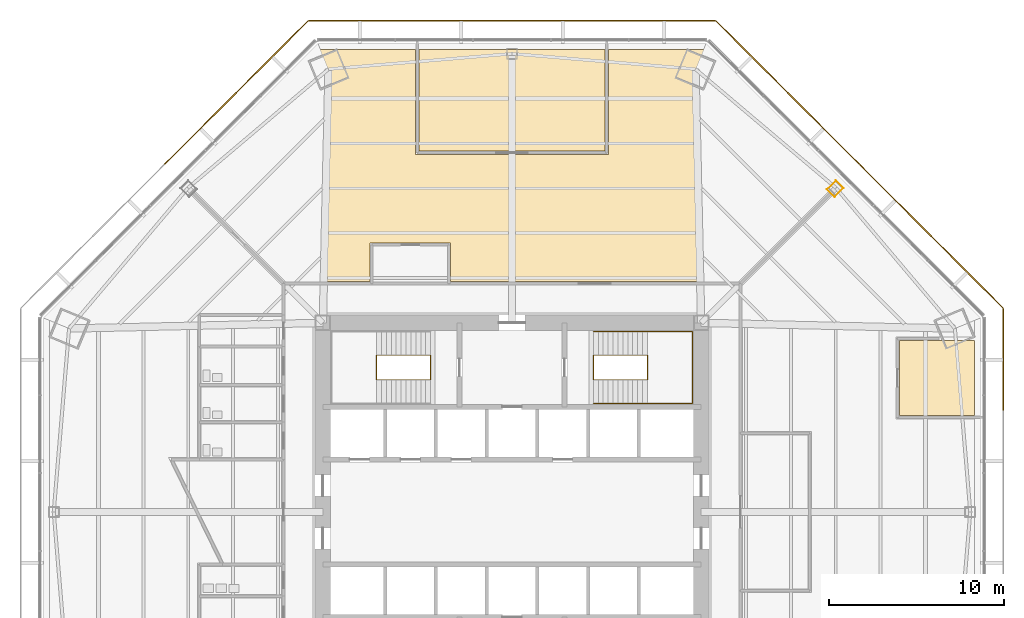
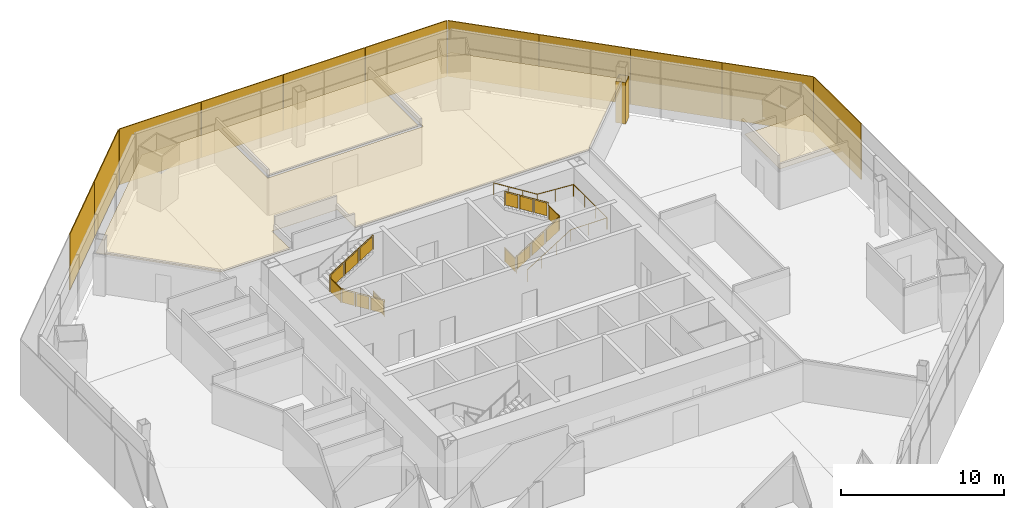
# One storey, part 14 of 15: 11 shading devices, 4 coverings, 3 railings.
"""IFC4 building model written with IfcOpenShell, lengths in metres."""

from ifc_helpers import new_model, si_unit, direction, frame, origin, origin_2d, place, context, subcontext, project, spatial, polyline, rectangle, circle, outline, extrude, source, transform, mapped, material, layer, layer_set, type_object, type_shapes, element, save


model = new_model("IFC4")

# Units and contexts
model_context = context("Model", 3, precision=1e-05, world=origin(), true_north=direction((0.0, 1.0)))
body_context = subcontext(model_context, "Body", "Model", "MODEL_VIEW")
ifc_project = project(units=[si_unit("LENGTHUNIT", "METRE"), si_unit("AREAUNIT", "SQUARE_METRE"), si_unit("VOLUMEUNIT", "CUBIC_METRE"), si_unit("PLANEANGLEUNIT", "RADIAN"), si_unit("MASSUNIT", "GRAM", prefix="KILO")], contexts=[model_context])

# Site, building, storey
site_placement = place(None, origin())
site = spatial("IfcSite", under=ifc_project, at=site_placement, CompositionType="ELEMENT")
building_placement = place(site_placement, origin())
building = spatial("IfcBuilding", under=site, at=building_placement, Name="Mashrafa Tower", CompositionType="ELEMENT")
storey_placement = place(building_placement, frame((0.0, 0.0, 37.199951171875)))
storey = spatial("IfcBuildingStorey", under=building, at=storey_placement, Name="L07", CompositionType="ELEMENT", Elevation=37.199951171875)

# Covering
ifc_material_1 = material(Name="Gypsum board")
ifc_layer_1 = layer(ifc_material_1, 0.014892578125)
ifc_layer_set_1 = layer_set([ifc_layer_1], Name="Column casing plasterboard 15")
covering_type_1 = type_object("IfcCoveringType", Name="Column casing plasterboard 15", PredefinedType="CLADDING", material=ifc_layer_set_1)
covering_1_placement = place(storey_placement, origin())
element("IfcCovering", 1, at=covering_1_placement, inside=storey, type_object=covering_type_1, Name="Column casing L07-001", PredefinedType="CLADDING", context=body_context, shape_type="SweptSolid", body=[
    extrude(outline(polyline([(17.969970703125, 18.41552734375), (18.499755859375, 18.9453125), (18.9453125, 18.499755859375), (18.41552734375, 17.969970703125), (17.969970703125, 18.41552734375)]), holes=[polyline([(18.923828125, 18.499755859375), (18.499755859375, 18.923828125), (17.9912109375, 18.41552734375), (18.41552734375, 17.9912109375), (18.923828125, 18.499755859375)])]), origin(), (0.0, 0.0, 1.0), 3.097900390625),
])

# Railings
ifc_material_2 = material(Name="Steel guard with glass infill", Category="steel")
railing_type_1 = type_object("IfcRailingType", Name="Stair guard 1100", PredefinedType="GUARDRAIL", material=ifc_material_2)
railing_1_placement = place(storey_placement, frame((-4.64990234375, 8.949951171875, 0.0)))
element("IfcRailing", 2, at=railing_1_placement, inside=storey, type_object=railing_type_1, Name="Stair S1 guard L07", PredefinedType="GUARDRAIL", context=body_context, shape_type="SweptSolid", body=[
    extrude(circle(Radius=0.02392578125, at=origin_2d()), frame((0.0, 0.0, 1.076171875), z_axis=(0.0, -1.0, 0.0), x_axis=(1.0, 0.0, 0.0)), (0.0, 0.0, 1.0), 1.39990234375),
    extrude(circle(Radius=0.02392578125, at=origin_2d()), frame((0.0, -1.39990234375, 1.076171875), z_axis=(0.0, 0.0, 1.0), x_axis=(1.0, 0.0, 0.0)), (0.0, 0.0, 1.0), 0.175048828125),
    extrude(circle(Radius=0.02392578125, at=origin_2d()), frame((0.0, -1.39990234375, 1.2509765625), z_axis=(-0.847998304005, 0.0, 0.529998940003), x_axis=(0.0, -1.0, 0.0)), (0.0, 0.0, 1.0), 3.632080078125),
    extrude(circle(Radius=0.02392578125, at=origin_2d()), frame((-3.080078125, -1.39990234375, 3.17626953125), z_axis=(0.0, 1.0, 0.0), x_axis=(-1.0, 0.0, 0.0)), (0.0, 0.0, 1.0), 1.39990234375),
    extrude(circle(Radius=0.02392578125, at=origin_2d()), frame((-3.080078125, 0.0, 3.17626953125), z_axis=(0.0, 0.0, 1.0), x_axis=(1.0, 0.0, 0.0)), (0.0, 0.0, 1.0), 0.175048828125),
    extrude(circle(Radius=0.02392578125, at=origin_2d()), frame((-3.080078125, 0.0, 3.35107421875), z_axis=(0.848028513186, 0.0, 0.529950602248), x_axis=(0.0, 1.0, 0.0)), (0.0, 0.0, 1.0), 3.632080078125),
    extrude(circle(Radius=0.02099609375, at=origin_2d()), origin(), (0.0, 0.0, 1.0), 1.052001953125),
    extrude(circle(Radius=0.02099609375, at=origin_2d()), frame((0.0, -1.39990234375, 0.0)), (0.0, 0.0, 1.0), 1.052001953125),
    extrude(circle(Radius=0.02099609375, at=origin_2d()), frame((0.0, -1.39990234375, 0.175048828125)), (0.0, 0.0, 1.0), 1.052001953125),
    extrude(circle(Radius=0.02099609375, at=origin_2d()), frame((-1.026611328125, -1.39990234375, 0.816650390625)), (0.0, 0.0, 1.0), 1.052001953125),
    extrude(circle(Radius=0.02099609375, at=origin_2d()), frame((-2.053466796875, -1.39990234375, 1.45849609375)), (0.0, 0.0, 1.0), 1.052001953125),
    extrude(circle(Radius=0.02099609375, at=origin_2d()), frame((-3.080078125, -1.39990234375, 2.10009765625)), (0.0, 0.0, 1.0), 1.052001953125),
    extrude(circle(Radius=0.02099609375, at=origin_2d()), frame((-3.080078125, 0.0, 2.10009765625)), (0.0, 0.0, 1.0), 1.052001953125),
    extrude(circle(Radius=0.02099609375, at=origin_2d()), frame((-3.080078125, 0.0, 2.275146484375)), (0.0, 0.0, 1.0), 1.052001953125),
    extrude(circle(Radius=0.02099609375, at=origin_2d()), frame((-2.053466796875, 0.0, 2.916748046875)), (0.0, 0.0, 1.0), 1.052001953125),
    extrude(circle(Radius=0.02099609375, at=origin_2d()), frame((-1.026611328125, 0.0, 3.558349609375)), (0.0, 0.0, 1.0), 1.052001953125),
    extrude(circle(Radius=0.02099609375, at=origin_2d()), frame((0.0, 0.0, 4.199951171875)), (0.0, 0.0, 1.0), 1.052001953125),
    extrude(outline(polyline([(0.071044921875, 0.050048828125), (1.328857421875, 0.050048828125), (1.328857421875, 1.001953125), (0.071044921875, 1.001953125), (0.071044921875, 0.050048828125)])), frame((-0.006103515625, 0.0, 0.0), z_axis=(-1.0, 0.0, 0.0), x_axis=(0.0, -1.0, 0.0)), (0.0, 0.0, 1.0), 0.011962890625),
    extrude(outline(polyline([(0.071044921875, 0.094482421875), (0.955810546875, 0.647216796875), (0.955810546875, 1.599365234375), (0.071044921875, 1.04638671875), (0.071044921875, 0.094482421875)])), frame((0.0, -1.393798828125, 0.175048828125), z_axis=(0.0, 1.0, 0.0), x_axis=(-1.0, 0.0, 0.0)), (0.0, 0.0, 1.0), 0.011962890625),
    extrude(outline(polyline([(1.09765625, 0.736083984375), (1.982421875, 1.2890625), (1.982421875, 2.240966796875), (1.09765625, 1.68798828125), (1.09765625, 0.736083984375)])), frame((0.0, -1.393798828125, 0.175048828125), z_axis=(0.0, 1.0, 0.0), x_axis=(-1.0, 0.0, 0.0)), (0.0, 0.0, 1.0), 0.011962890625),
    extrude(outline(polyline([(2.124267578125, 1.377685546875), (3.009033203125, 1.9306640625), (3.009033203125, 2.882568359375), (2.124267578125, 2.329833984375), (2.124267578125, 1.377685546875)])), frame((0.0, -1.393798828125, 0.175048828125), z_axis=(0.0, 1.0, 0.0), x_axis=(-1.0, 0.0, 0.0)), (0.0, 0.0, 1.0), 0.011962890625),
    extrude(outline(polyline([(0.071044921875, 0.050048828125), (1.328857421875, 0.050048828125), (1.328857421875, 1.001953125), (0.071044921875, 1.001953125), (0.071044921875, 0.050048828125)])), frame((-3.073974609375, -1.39990234375, 2.10009765625), z_axis=(1.0, 0.0, 0.0), x_axis=(0.0, 1.0, 0.0)), (0.0, 0.0, 1.0), 0.011962890625),
    extrude(outline(polyline([(0.071044921875, 0.094482421875), (0.955810546875, 0.647216796875), (0.955810546875, 1.59912109375), (0.071044921875, 1.04638671875), (0.071044921875, 0.094482421875)])), frame((-3.080078125, -0.006103515625, 2.275146484375), z_axis=(0.0, -1.0, 0.0), x_axis=(1.0, 0.0, 0.0)), (0.0, 0.0, 1.0), 0.011962890625),
    extrude(outline(polyline([(1.09765625, 0.736083984375), (1.982421875, 1.288818359375), (1.982421875, 2.24072265625), (1.09765625, 1.68798828125), (1.09765625, 0.736083984375)])), frame((-3.080078125, -0.006103515625, 2.275146484375), z_axis=(0.0, -1.0, 0.0), x_axis=(1.0, 0.0, 0.0)), (0.0, 0.0, 1.0), 0.011962890625),
    extrude(outline(polyline([(2.124267578125, 1.377685546875), (3.009033203125, 1.930419921875), (3.009033203125, 2.88232421875), (2.124267578125, 2.32958984375), (2.124267578125, 1.377685546875)])), frame((-3.080078125, -0.006103515625, 2.275146484375), z_axis=(0.0, -1.0, 0.0), x_axis=(1.0, 0.0, 0.0)), (0.0, 0.0, 1.0), 0.011962890625),
])
railing_2_placement = place(storey_placement, frame((4.64990234375, 8.949951171875, 0.0)))
element("IfcRailing", 3, at=railing_2_placement, inside=storey, type_object=railing_type_1, Name="Stair S2 guard L07", PredefinedType="GUARDRAIL", context=body_context, shape_type="SweptSolid", body=[
    extrude(circle(Radius=0.02392578125, at=origin_2d()), frame((0.0, 0.0, 1.076171875), z_axis=(0.0, -1.0, 0.0), x_axis=(1.0, 0.0, 0.0)), (0.0, 0.0, 1.0), 1.39990234375),
    extrude(circle(Radius=0.02392578125, at=origin_2d()), frame((0.0, -1.39990234375, 1.076171875), z_axis=(0.0, 0.0, 1.0), x_axis=(1.0, 0.0, 0.0)), (0.0, 0.0, 1.0), 0.175048828125),
    extrude(circle(Radius=0.02392578125, at=origin_2d()), frame((0.0, -1.39990234375, 1.2509765625), z_axis=(0.847998304005, 0.0, 0.529998940003), x_axis=(0.0, 1.0, 0.0)), (0.0, 0.0, 1.0), 3.632080078125),
    extrude(circle(Radius=0.02392578125, at=origin_2d()), frame((3.080078125, -1.39990234375, 3.17626953125), z_axis=(0.0, 1.0, 0.0), x_axis=(-1.0, 0.0, 0.0)), (0.0, 0.0, 1.0), 1.39990234375),
    extrude(circle(Radius=0.02392578125, at=origin_2d()), frame((3.080078125, 0.0, 3.17626953125), z_axis=(0.0, 0.0, 1.0), x_axis=(1.0, 0.0, 0.0)), (0.0, 0.0, 1.0), 0.175048828125),
    extrude(circle(Radius=0.02392578125, at=origin_2d()), frame((3.080078125, 0.0, 3.35107421875), z_axis=(-0.848028513186, 0.0, 0.529950602248), x_axis=(0.0, -1.0, 0.0)), (0.0, 0.0, 1.0), 3.632080078125),
    extrude(circle(Radius=0.02099609375, at=origin_2d()), origin(), (0.0, 0.0, 1.0), 1.052001953125),
    extrude(circle(Radius=0.02099609375, at=origin_2d()), frame((0.0, -1.39990234375, 0.0)), (0.0, 0.0, 1.0), 1.052001953125),
    extrude(circle(Radius=0.02099609375, at=origin_2d()), frame((0.0, -1.39990234375, 0.175048828125)), (0.0, 0.0, 1.0), 1.052001953125),
    extrude(circle(Radius=0.02099609375, at=origin_2d()), frame((1.026611328125, -1.39990234375, 0.816650390625)), (0.0, 0.0, 1.0), 1.052001953125),
    extrude(circle(Radius=0.02099609375, at=origin_2d()), frame((2.053466796875, -1.39990234375, 1.45849609375)), (0.0, 0.0, 1.0), 1.052001953125),
    extrude(circle(Radius=0.02099609375, at=origin_2d()), frame((3.080078125, -1.39990234375, 2.10009765625)), (0.0, 0.0, 1.0), 1.052001953125),
    extrude(circle(Radius=0.02099609375, at=origin_2d()), frame((3.080078125, 0.0, 2.10009765625)), (0.0, 0.0, 1.0), 1.052001953125),
    extrude(circle(Radius=0.02099609375, at=origin_2d()), frame((3.080078125, 0.0, 2.275146484375)), (0.0, 0.0, 1.0), 1.052001953125),
    extrude(circle(Radius=0.02099609375, at=origin_2d()), frame((2.053466796875, 0.0, 2.916748046875)), (0.0, 0.0, 1.0), 1.052001953125),
    extrude(circle(Radius=0.02099609375, at=origin_2d()), frame((1.026611328125, 0.0, 3.558349609375)), (0.0, 0.0, 1.0), 1.052001953125),
    extrude(circle(Radius=0.02099609375, at=origin_2d()), frame((0.0, 0.0, 4.199951171875)), (0.0, 0.0, 1.0), 1.052001953125),
    extrude(outline(polyline([(0.071044921875, 0.050048828125), (1.328857421875, 0.050048828125), (1.328857421875, 1.001953125), (0.071044921875, 1.001953125), (0.071044921875, 0.050048828125)])), frame((-0.006103515625, 0.0, 0.0), z_axis=(-1.0, 0.0, 0.0), x_axis=(0.0, -1.0, 0.0)), (0.0, 0.0, 1.0), 0.011962890625),
    extrude(outline(polyline([(0.071044921875, 0.094482421875), (0.955810546875, 0.647216796875), (0.955810546875, 1.599365234375), (0.071044921875, 1.04638671875), (0.071044921875, 0.094482421875)])), frame((0.0, -1.406005859375, 0.175048828125), z_axis=(0.0, -1.0, 0.0), x_axis=(1.0, 0.0, 0.0)), (0.0, 0.0, 1.0), 0.011962890625),
    extrude(outline(polyline([(1.09765625, 0.736083984375), (1.982421875, 1.2890625), (1.982421875, 2.240966796875), (1.09765625, 1.68798828125), (1.09765625, 0.736083984375)])), frame((0.0, -1.406005859375, 0.175048828125), z_axis=(0.0, -1.0, 0.0), x_axis=(1.0, 0.0, 0.0)), (0.0, 0.0, 1.0), 0.011962890625),
    extrude(outline(polyline([(2.124267578125, 1.377685546875), (3.009033203125, 1.9306640625), (3.009033203125, 2.882568359375), (2.124267578125, 2.329833984375), (2.124267578125, 1.377685546875)])), frame((0.0, -1.406005859375, 0.175048828125), z_axis=(0.0, -1.0, 0.0), x_axis=(1.0, 0.0, 0.0)), (0.0, 0.0, 1.0), 0.011962890625),
    extrude(outline(polyline([(0.071044921875, 0.050048828125), (1.328857421875, 0.050048828125), (1.328857421875, 1.001953125), (0.071044921875, 1.001953125), (0.071044921875, 0.050048828125)])), frame((3.086181640625, -1.39990234375, 2.10009765625), z_axis=(1.0, 0.0, 0.0), x_axis=(0.0, 1.0, 0.0)), (0.0, 0.0, 1.0), 0.011962890625),
    extrude(outline(polyline([(0.071044921875, 0.094482421875), (0.955810546875, 0.647216796875), (0.955810546875, 1.59912109375), (0.071044921875, 1.04638671875), (0.071044921875, 0.094482421875)])), frame((3.080078125, 0.006103515625, 2.275146484375), z_axis=(0.0, 1.0, 0.0), x_axis=(-1.0, 0.0, 0.0)), (0.0, 0.0, 1.0), 0.011962890625),
    extrude(outline(polyline([(1.09765625, 0.736083984375), (1.982421875, 1.288818359375), (1.982421875, 2.24072265625), (1.09765625, 1.68798828125), (1.09765625, 0.736083984375)])), frame((3.080078125, 0.006103515625, 2.275146484375), z_axis=(0.0, 1.0, 0.0), x_axis=(-1.0, 0.0, 0.0)), (0.0, 0.0, 1.0), 0.011962890625),
    extrude(outline(polyline([(2.124267578125, 1.377685546875), (3.009033203125, 1.930419921875), (3.009033203125, 2.88232421875), (2.124267578125, 2.32958984375), (2.124267578125, 1.377685546875)])), frame((3.080078125, 0.006103515625, 2.275146484375), z_axis=(0.0, 1.0, 0.0), x_axis=(-1.0, 0.0, 0.0)), (0.0, 0.0, 1.0), 0.011962890625),
])
ifc_material_3 = material(Name="Steel", Category="steel")
railing_type_2 = type_object("IfcRailingType", Name="Stair handrail 900", PredefinedType="HANDRAIL", material=ifc_material_3)
railing_3_placement = place(storey_placement, frame((4.64990234375, 6.199951171875, 0.175048828125)))
element("IfcRailing", 4, at=railing_3_placement, inside=storey, type_object=railing_type_2, Name="Stair S2 handrail L07", PredefinedType="HANDRAIL", context=body_context, shape_type="SweptSolid", body=[
    extrude(circle(Radius=0.02392578125, at=origin_2d()), frame((0.0, 0.0, 0.8759765625), z_axis=(0.847998304005, 0.0, 0.529998940003), x_axis=(0.0, 1.0, 0.0)), (0.0, 0.0, 1.0), 3.632080078125),
    extrude(circle(Radius=0.02392578125, at=origin_2d()), frame((3.080078125, 0.0, 2.80078125), z_axis=(1.0, 0.0, 0.0), x_axis=(0.0, 1.0, 0.0)), (0.0, 0.0, 1.0), 2.570068359375),
    extrude(circle(Radius=0.02392578125, at=origin_2d()), frame((5.650146484375, 0.0, 2.80078125), z_axis=(0.0, 1.0, 0.0), x_axis=(-1.0, 0.0, 0.0)), (0.0, 0.0, 1.0), 4.10009765625),
    extrude(circle(Radius=0.02392578125, at=origin_2d()), frame((5.650146484375, 4.10009765625, 2.80078125), z_axis=(-0.997688514158, 0.0, 0.067953136188), x_axis=(0.0, -1.0, 0.0)), (0.0, 0.0, 1.0), 2.575927734375),
    extrude(circle(Radius=0.02392578125, at=origin_2d()), frame((3.080078125, 4.10009765625, 2.97607421875), z_axis=(-0.848028513186, 0.0, 0.529950602248), x_axis=(0.0, -1.0, 0.0)), (0.0, 0.0, 1.0), 3.632080078125),
    extrude(circle(Radius=0.02099609375, at=origin_2d()), origin(), (0.0, 0.0, 1.0), 0.851806640625),
    extrude(circle(Radius=0.02099609375, at=origin_2d()), frame((1.026611328125, 0.0, 0.6416015625)), (0.0, 0.0, 1.0), 0.851806640625),
    extrude(circle(Radius=0.02099609375, at=origin_2d()), frame((2.053466796875, 0.0, 1.283447265625)), (0.0, 0.0, 1.0), 0.851806640625),
    extrude(circle(Radius=0.02099609375, at=origin_2d()), frame((3.080078125, 0.0, 1.925048828125)), (0.0, 0.0, 1.0), 0.851806640625),
    extrude(circle(Radius=0.02099609375, at=origin_2d()), frame((4.365234375, 0.0, 1.925048828125)), (0.0, 0.0, 1.0), 0.851806640625),
    extrude(circle(Radius=0.02099609375, at=origin_2d()), frame((5.650146484375, 0.0, 1.925048828125)), (0.0, 0.0, 1.0), 0.851806640625),
    extrude(circle(Radius=0.02099609375, at=origin_2d()), frame((5.650146484375, 1.36669921875, 1.925048828125)), (0.0, 0.0, 1.0), 0.851806640625),
    extrude(circle(Radius=0.02099609375, at=origin_2d()), frame((5.650146484375, 2.7333984375, 1.925048828125)), (0.0, 0.0, 1.0), 0.851806640625),
    extrude(circle(Radius=0.02099609375, at=origin_2d()), frame((5.650146484375, 4.10009765625, 1.925048828125)), (0.0, 0.0, 1.0), 0.851806640625),
    extrude(circle(Radius=0.02099609375, at=origin_2d()), frame((4.365234375, 4.10009765625, 2.0126953125)), (0.0, 0.0, 1.0), 0.851806640625),
    extrude(circle(Radius=0.02099609375, at=origin_2d()), frame((3.080078125, 4.10009765625, 2.10009765625)), (0.0, 0.0, 1.0), 0.851806640625),
    extrude(circle(Radius=0.02099609375, at=origin_2d()), frame((2.053466796875, 4.10009765625, 2.74169921875)), (0.0, 0.0, 1.0), 0.851806640625),
    extrude(circle(Radius=0.02099609375, at=origin_2d()), frame((1.026611328125, 4.10009765625, 3.38330078125)), (0.0, 0.0, 1.0), 0.851806640625),
    extrude(circle(Radius=0.02099609375, at=origin_2d()), frame((0.0, 4.10009765625, 4.02490234375)), (0.0, 0.0, 1.0), 0.851806640625),
])

# Coverings
ifc_material_4 = material(Name="Mineral fibre tile on suspension grid")
ifc_layer_2 = layer(ifc_material_4, 0.014892578125)
ifc_layer_set_2 = layer_set([ifc_layer_2], Name="Suspended ceiling mineral tile 15")
covering_type_2 = type_object("IfcCoveringType", Name="Suspended ceiling mineral tile 15", PredefinedType="CEILING", material=ifc_layer_set_2)
covering_2_placement = place(storey_placement, frame((0.0, 0.0, 2.85009765625)))
element("IfcCovering", 5, at=covering_2_placement, inside=storey, type_object=covering_type_2, Name="Ceiling Board Room 07", PredefinedType="CEILING", context=body_context, shape_type="SweptSolid", body=[
    extrude(outline(polyline([(-5.300048828125, 26.412353515625), (5.300048828125, 26.412353515625), (5.300048828125, 20.6123046875), (-5.300048828125, 20.6123046875), (-5.300048828125, 26.412353515625)])), origin(), (0.0, 0.0, 1.0), 0.014892578125),
])
covering_3_placement = place(storey_placement, frame((0.0, 0.0, 2.900146484375)))
element("IfcCovering", 6, at=covering_3_placement, inside=storey, type_object=covering_type_2, Name="Ceiling Meeting Room 07-1", PredefinedType="CEILING", context=body_context, shape_type="SweptSolid", body=[
    extrude(outline(polyline([(22.1123046875, 9.800048828125), (26.412353515625, 9.800048828125), (26.412353515625, 5.5), (22.1123046875, 5.5), (22.1123046875, 9.800048828125)])), origin(), (0.0, 0.0, 1.0), 0.014892578125),
])
covering_4_placement = place(storey_placement, frame((0.0, 0.0, 2.85009765625)))
element("IfcCovering", 7, at=covering_4_placement, inside=storey, type_object=covering_type_2, Name="Ceiling Corporate Banking Office 07", PredefinedType="CEILING", context=body_context, shape_type="SweptSolid", body=[
    extrude(outline(polyline([(-13.008544921875, 13.14990234375), (-18.605712890625, 18.7470703125), (-10.9404296875, 26.412353515625), (-5.5, 26.412353515625), (-5.5, 20.412353515625), (5.5, 20.412353515625), (5.5, 26.412353515625), (10.9404296875, 26.412353515625), (18.605712890625, 18.7470703125), (13.008544921875, 13.14990234375), (-3.5, 13.14990234375), (-3.5, 15.35009765625), (-8.10009765625, 15.35009765625), (-8.10009765625, 13.14990234375), (-13.008544921875, 13.14990234375)])), origin(), (0.0, 0.0, 1.0), 0.014892578125),
])

# Shading devices
ifc_material_5 = material(Name="Perforated aluminium plate, eight-point star pattern", Category="aluminium")
ifc_layer_3 = layer(ifc_material_5, 0.06005859375)
ifc_layer_set_3 = layer_set([ifc_layer_3], Name="Mashrabiya screen panel office zone 1, 45 percent open")
shading_device_type = type_object("IfcShadingDeviceType", Name="Mashrabiya screen panel office zone 1, 45 percent open", PredefinedType="SHUTTER", material=ifc_layer_set_3)
shared_shape = source(origin(), body_context, "Body", "SweptSolid", [
    extrude(rectangle(XDim=5.78076171875, YDim=0.06005859375, at=origin_2d()), origin(), (0.0, 0.0, 1.0), 4.179931640625),
])
type_shapes(shading_device_type, [shared_shape])
for number, where, z_axis, x_axis, name in (
    (8, (28.062255859375, 8.700927734375, -0.14990234375), (0.0, 0.0, 1.0), (0.0, 1.0, 0.0), "Mashrabiya screen L07 east 4"),
    (9, (25.99560546875, 13.6904296875, -0.14990234375), (0.0, 0.0, 1.0), (-0.707106781187, 0.707106781187, 0.0), "Mashrabiya screen L07 north-east 1"),
    (10, (21.89404296875, 17.792236328125, -0.14990234375), (0.0, 0.0, 1.0), (-0.707106781187, 0.707106781187, 0.0), "Mashrabiya screen L07 north-east 2"),
    (11, (17.792236328125, 21.89404296875, -0.14990234375), (0.0, 0.0, 1.0), (-0.707106781187, 0.707106781187, 0.0), "Mashrabiya screen L07 north-east 3"),
    (12, (13.6904296875, 25.99560546875, -0.14990234375), (0.0, 0.0, 1.0), (-0.707106781187, 0.707106781187, 0.0), "Mashrabiya screen L07 north-east 4"),
    (13, (8.700927734375, 28.062255859375, -0.14990234375), (0.0, 0.0, 1.0), (-1.0, 0.0, 0.0), "Mashrabiya screen L07 north 1"),
    (14, (2.900390625, 28.062255859375, -0.14990234375), (0.0, 0.0, 1.0), (-1.0, 0.0, 0.0), "Mashrabiya screen L07 north 2"),
    (15, (-2.900390625, 28.062255859375, -0.14990234375), (0.0, 0.0, 1.0), (-1.0, 0.0, 0.0), "Mashrabiya screen L07 north 3"),
    (16, (-8.700927734375, 28.062255859375, -0.14990234375), (0.0, 0.0, 1.0), (-1.0, 0.0, 0.0), "Mashrabiya screen L07 north 4"),
    (17, (-13.6904296875, 25.99560546875, -0.14990234375), (0.0, 0.0, 1.0), (-0.707106781187, -0.707106781187, 0.0), "Mashrabiya screen L07 north-west 1"),
    (18, (-17.792236328125, 21.89404296875, -0.14990234375), (0.0, 0.0, 1.0), (-0.707106781187, -0.707106781187, 0.0), "Mashrabiya screen L07 north-west 2"),
):
    element("IfcShadingDevice", number, at=place(storey_placement, frame(where, z_axis=z_axis, x_axis=x_axis)), inside=storey, type_object=shading_device_type, Name=name, PredefinedType="SHUTTER", context=body_context, shape_type="MappedRepresentation", body=[
        mapped(shared_shape, transform((0.0, 0.0, 0.0))),
    ])

save(model, "model.ifc")
